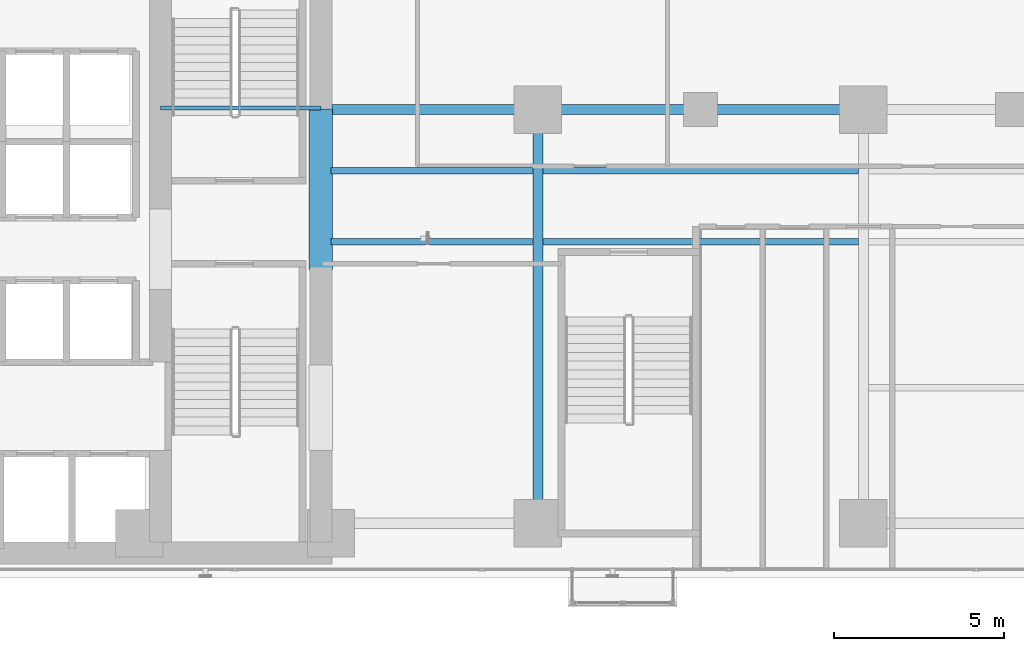
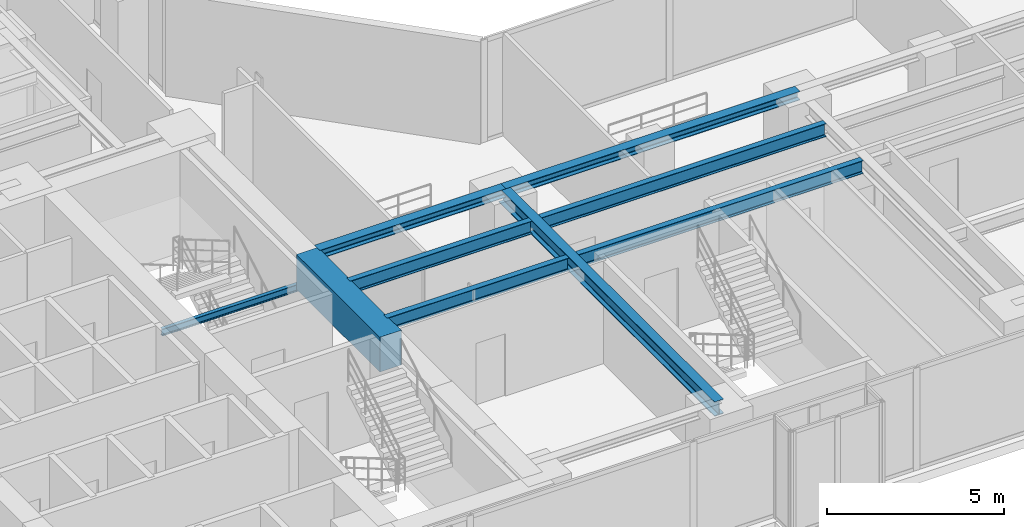
# One storey, part 5 of 26: 9 beams.
"""IFC4 building model written with IfcOpenShell, lengths in metres."""

from ifc_helpers import new_model, si_unit, direction, frame, origin, origin_2d, place, context, subcontext, project, spatial, rectangle, i_section, extrude, material, material_profile, profile_set, type_object, element, save


model = new_model("IFC4")

# Units and contexts
model_context = context("Model", 3, precision=1e-05, world=origin(), true_north=direction((0.0, 1.0)))
body_context = subcontext(model_context, "Body", "Model", "MODEL_VIEW")
ifc_project = project(units=[si_unit("LENGTHUNIT", "METRE"), si_unit("AREAUNIT", "SQUARE_METRE"), si_unit("VOLUMEUNIT", "CUBIC_METRE"), si_unit("PLANEANGLEUNIT", "RADIAN"), si_unit("MASSUNIT", "GRAM", prefix="KILO")], contexts=[model_context])

# Site, building, storey
site_placement = place(None, origin())
site = spatial("IfcSite", under=ifc_project, at=site_placement, CompositionType="ELEMENT")
building_placement = place(site_placement, origin())
building = spatial("IfcBuilding", under=site, at=building_placement, Name="Kolvaren Waterfront Exchange", CompositionType="ELEMENT")
storey_placement = place(building_placement, frame((0.0, 0.0, 110.699951171875)))
storey = spatial("IfcBuildingStorey", under=building, at=storey_placement, Name="L28", CompositionType="ELEMENT", Elevation=110.699951171875)

# Beams
ifc_material_1 = material(Name="Steel S355", Category="steel")
ifc_material_profile_1 = material_profile(ifc_material_1, i_section(OverallWidth=0.300048828125, OverallDepth=0.300048828125, WebThickness=0.010986328125, FlangeThickness=0.01904296875, FilletRadius=0.027099609375, at=origin_2d()), Name="HEB300")
ifc_profile_set_1 = profile_set([ifc_material_profile_1], Name="Steel S355")
beam_type_1 = type_object("IfcBeamType", Name="STR-BM-HEB300", PredefinedType="SPANDREL", material=ifc_profile_set_1)
beam_1_placement = place(storey_placement, frame((21.125, 17.39990234375, 3.39013671875), z_axis=(1.0, 0.0, 0.0), x_axis=(0.0, 1.0, 0.0)))
element("IfcBeam", 1, at=beam_1_placement, inside=storey, type_object=beam_type_1, Name="L28 east-arm spandrel N1", PredefinedType="SPANDREL", context=body_context, shape_type="SweptSolid", body=[
    extrude(i_section(OverallWidth=0.300048828125, OverallDepth=0.300048828125, WebThickness=0.010986328125, FlangeThickness=0.01904296875, FilletRadius=0.027099609375, at=origin_2d()), origin(), (0.0, 0.0, 1.0), 6.074951171875),
])
beam_2_placement = place(storey_placement, frame((27.199951171875, 17.39990234375, 3.39013671875), z_axis=(1.0, 0.0, 0.0), x_axis=(0.0, 1.0, 0.0)))
element("IfcBeam", 2, at=beam_2_placement, inside=storey, type_object=beam_type_1, Name="L28 east-arm spandrel N2", PredefinedType="SPANDREL", context=body_context, shape_type="SweptSolid", body=[
    extrude(i_section(OverallWidth=0.300048828125, OverallDepth=0.300048828125, WebThickness=0.010986328125, FlangeThickness=0.01904296875, FilletRadius=0.027099609375, at=origin_2d()), origin(), (0.0, 0.0, 1.0), 9.60009765625),
])
ifc_material_profile_2 = material_profile(ifc_material_1, i_section(OverallWidth=0.300048828125, OverallDepth=0.5, WebThickness=0.014404296875, FlangeThickness=0.028076171875, FilletRadius=0.027099609375, at=origin_2d()), Name="HEB500")
ifc_profile_set_2 = profile_set([ifc_material_profile_2], Name="Steel S355")
beam_type_2 = type_object("IfcBeamType", Name="STR-BM-HEB500", PredefinedType="BEAM", material=ifc_profile_set_2)
beam_3_placement = place(storey_placement, frame((27.199951171875, 5.199951171875, 3.2900390625), z_axis=(0.0, 1.0, 0.0), x_axis=(-1.0, 0.0, 0.0)))
element("IfcBeam", 3, at=beam_3_placement, inside=storey, type_object=beam_type_2, Name="L28 east-arm transverse girder X27", PredefinedType="BEAM", context=body_context, shape_type="SweptSolid", body=[
    extrude(i_section(OverallWidth=0.300048828125, OverallDepth=0.5, WebThickness=0.014404296875, FlangeThickness=0.028076171875, FilletRadius=0.027099609375, at=origin_2d()), origin(), (0.0, 0.0, 1.0), 12.199951171875),
])
ifc_material_profile_3 = material_profile(ifc_material_1, i_section(OverallWidth=0.1201171875, OverallDepth=0.239990234375, WebThickness=0.006103515625, FlangeThickness=0.009765625, FilletRadius=0.014892578125, at=origin_2d()), Name="IPE240")
ifc_profile_set_3 = profile_set([ifc_material_profile_3], Name="Steel S355")
beam_type_3 = type_object("IfcBeamType", Name="STR-BM-IPE240", PredefinedType="LINTEL", material=ifc_profile_set_3)
beam_4_placement = place(storey_placement, frame((16.074951171875, 17.449951171875, 2.380126953125), z_axis=(1.0, 0.0, 0.0), x_axis=(0.0, 1.0, 0.0)))
element("IfcBeam", 4, at=beam_4_placement, inside=storey, type_object=beam_type_3, Name="L28 core stair header lintel", PredefinedType="LINTEL", context=body_context, shape_type="SweptSolid", body=[
    extrude(i_section(OverallWidth=0.1201171875, OverallDepth=0.239990234375, WebThickness=0.006103515625, FlangeThickness=0.009765625, FilletRadius=0.014892578125, at=origin_2d()), origin(), (0.0, 0.0, 1.0), 4.72509765625),
])
ifc_material_profile_4 = material_profile(ifc_material_1, i_section(OverallWidth=0.18994140625, OverallDepth=0.449951171875, WebThickness=0.009521484375, FlangeThickness=0.0146484375, FilletRadius=0.02099609375, at=origin_2d()), Name="IPE450")
ifc_profile_set_4 = profile_set([ifc_material_profile_4], Name="Steel S355")
beam_type_4 = type_object("IfcBeamType", Name="STR-BM-IPE450", PredefinedType="JOIST", material=ifc_profile_set_4)
for number, where, z_axis, x_axis, name in (
    (5, (21.10009765625, 13.5, 3.31494140625), (1.0, 0.0, 0.0), (0.0, 1.0, 0.0), "L28 east-arm composite joist 1A"),
    (6, (21.10009765625, 15.60009765625, 3.31494140625), (1.0, 0.0, 0.0), (0.0, 1.0, 0.0), "L28 east-arm composite joist 1C"),
):
    element("IfcBeam", number, at=place(storey_placement, frame(where, z_axis=z_axis, x_axis=x_axis)), inside=storey, type_object=beam_type_4, Name=name, PredefinedType="JOIST", context=body_context, shape_type="SweptSolid", body=[
        extrude(i_section(OverallWidth=0.18994140625, OverallDepth=0.449951171875, WebThickness=0.009521484375, FlangeThickness=0.0146484375, FilletRadius=0.02099609375, at=origin_2d()), origin(), (0.0, 0.0, 1.0), 5.947998046875),
    ])
for number, where, z_axis, x_axis, name in (
    (7, (27.35205078125, 13.5, 3.31494140625), (1.0, 0.0, 0.0), (0.0, 1.0, 0.0), "L28 east-arm composite joist 2A"),
    (8, (27.35205078125, 15.60009765625, 3.31494140625), (1.0, 0.0, 0.0), (0.0, 1.0, 0.0), "L28 east-arm composite joist 2C"),
):
    element("IfcBeam", number, at=place(storey_placement, frame(where, z_axis=z_axis, x_axis=x_axis)), inside=storey, type_object=beam_type_4, Name=name, PredefinedType="JOIST", context=body_context, shape_type="SweptSolid", body=[
        extrude(i_section(OverallWidth=0.18994140625, OverallDepth=0.449951171875, WebThickness=0.009521484375, FlangeThickness=0.0146484375, FilletRadius=0.02099609375, at=origin_2d()), origin(), (0.0, 0.0, 1.0), 9.2958984375),
    ])
ifc_material_2 = material(Name="Concrete C70/85", Category="concrete")
ifc_material_profile_5 = material_profile(ifc_material_2, rectangle(XDim=0.699951171875, YDim=1.199951171875, at=origin_2d()), Name="RC-CB-1200x700")
ifc_profile_set_5 = profile_set([ifc_material_profile_5], Name="Concrete C70/85")
beam_type_5 = type_object("IfcBeamType", Name="STR-CB-1200", PredefinedType="SPANDREL", material=ifc_profile_set_5)
beam_5_placement = place(storey_placement, frame((20.800048828125, 12.68994140625, 2.93994140625), z_axis=(0.0, 1.0, 0.0), x_axis=(-1.0, 0.0, 0.0)))
element("IfcBeam", 9, at=beam_5_placement, inside=storey, type_object=beam_type_5, Name="L28 core coupling beam 2", PredefinedType="SPANDREL", context=body_context, shape_type="SweptSolid", body=[
    extrude(rectangle(XDim=0.699951171875, YDim=1.199951171875, at=origin_2d()), origin(), (0.0, 0.0, 1.0), 4.719970703125),
])

save(model, "model.ifc")
